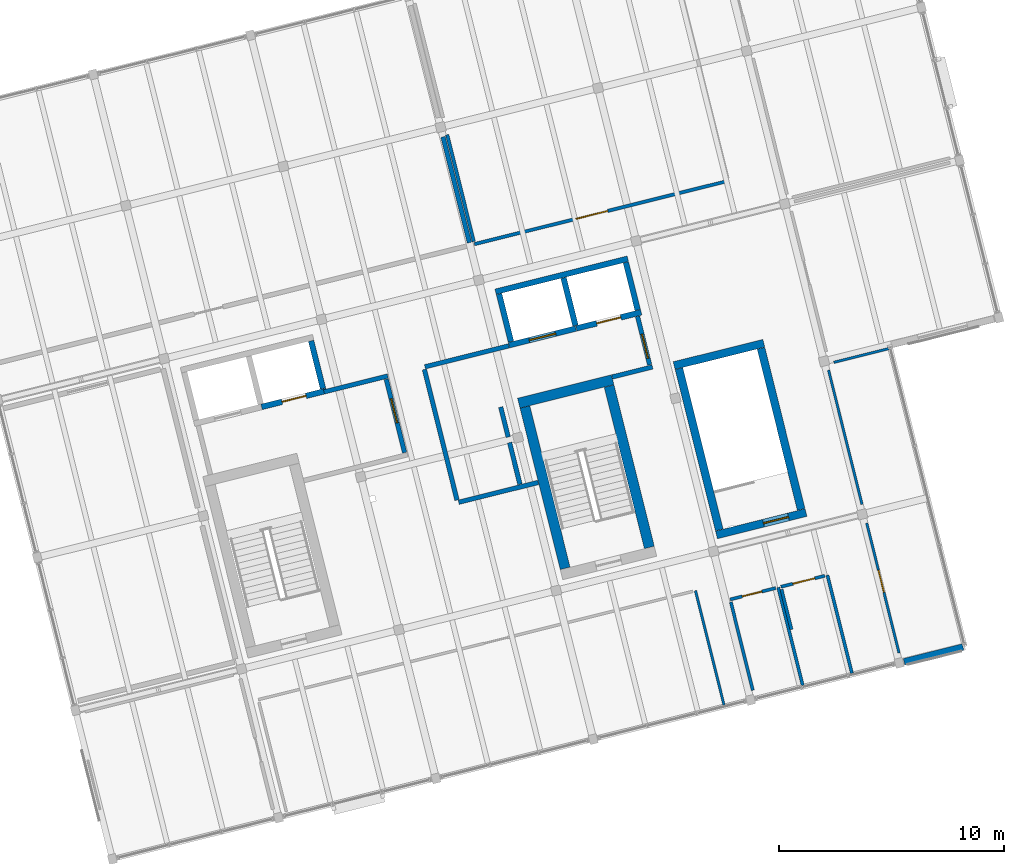
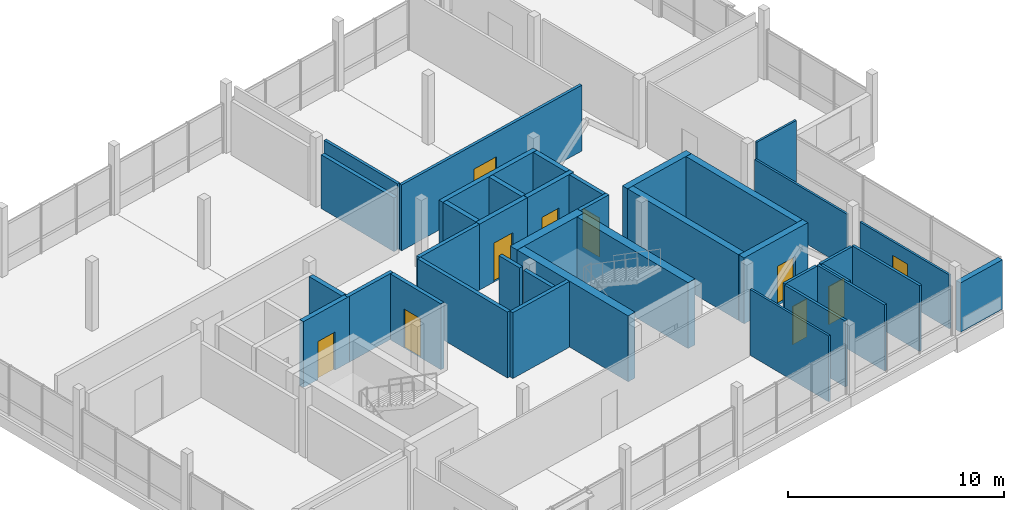
# One storey, part 26 of 28: 38 walls, 10 doors, 10 openings.
"""IFC4 building model written with IfcOpenShell, lengths in metres."""

from ifc_helpers import new_model, si_unit, direction, frame, frame_2d, origin, place, context, subcontext, project, spatial, rectangle, extrude, material, layer, layer_set, type_object, element, fill, save


model = new_model("IFC4")

# Units and contexts
model_context = context("Model", 3, precision=1e-05, world=origin(), true_north=direction((0.0, 1.0)))
body_context = subcontext(model_context, "Body", "Model", "MODEL_VIEW")
ifc_project = project(units=[si_unit("LENGTHUNIT", "METRE"), si_unit("AREAUNIT", "SQUARE_METRE"), si_unit("VOLUMEUNIT", "CUBIC_METRE"), si_unit("PLANEANGLEUNIT", "RADIAN"), si_unit("MASSUNIT", "GRAM", prefix="KILO")], contexts=[model_context])

# Site, building, storey
site_placement = place(None, origin())
site = spatial("IfcSite", under=ifc_project, at=site_placement, CompositionType="ELEMENT")
building_placement = place(site_placement, origin())
building = spatial("IfcBuilding", under=site, at=building_placement, Name="Meriwether Solvik Hall", CompositionType="ELEMENT")
storey_placement = place(building_placement, frame((0.0, 0.0, 30.0)))
storey = spatial("IfcBuildingStorey", under=building, at=storey_placement, Name="L07", CompositionType="ELEMENT", Elevation=30.0)

# Walls
ifc_material_1 = material(Name="Cross-Laminated Timber and Mineral-Wool Insulation", Category="wood")
ifc_layer_1 = layer(ifc_material_1, 0.2900390625)
ifc_layer_set_1 = layer_set([ifc_layer_1], Name="Cross-Laminated Timber and Mineral-Wool Insulation")
wall_type_1 = type_object("IfcWallType", Name="WALL-EXT-290", PredefinedType="SOLIDWALL", material=ifc_layer_set_1)
wall_1_placement = place(storey_placement, frame((106.364013671875, 50.615478515625, 0.0), z_axis=(0.0, 0.0, 1.0), x_axis=(-0.970307283908, -0.241875535753, 0.0)))
element("IfcWall", 1, at=wall_1_placement, inside=storey, type_object=wall_type_1, Name="L07 Timber Rainscreen Wall 1.5", PredefinedType="SOLIDWALL", context=body_context, shape_type="SweptSolid", body=[
    extrude(rectangle(XDim=2.697998046875, YDim=0.2900390625, at=frame_2d((1.34912109375, 0.0))), origin(), (0.0, 0.0, 1.0), 2.7900390625),
])
ifc_material_2 = material(Name="Fire-Rated Type X Gypsum Board", Category="gypsum")
ifc_layer_2 = layer(ifc_material_2, 0.199951171875)
ifc_layer_set_2 = layer_set([ifc_layer_2], Name="Fire-Rated Type X Gypsum Board")
wall_type_2 = type_object("IfcWallType", Name="WALL-FIRE-200", PredefinedType="STANDARD", material=ifc_layer_set_2)
wall_2_placement = place(storey_placement, frame((77.991943359375, 61.938232421875, 0.0), z_axis=(0.0, 0.0, 1.0), x_axis=(0.970304586447, 0.241886356621, 0.0)))
element("IfcWall", 2, at=wall_2_placement, inside=storey, type_object=wall_type_2, Name="L07 Interior Partition lb1_n_cap", PredefinedType="STANDARD", context=body_context, shape_type="SweptSolid", body=[
    extrude(rectangle(XDim=2.919921875, YDim=0.199951171875, at=frame_2d((1.4599609375, 0.0))), origin(), (0.0, 0.0, 1.0), 3.719970703125),
])

# Wall, opening, door
wall_3_placement = place(storey_placement, frame((80.75732421875, 62.50390625, 0.0), z_axis=(0.0, 0.0, 1.0), x_axis=(0.241885902723, -0.970304699599, 0.0)))
wall_3 = element("IfcWall", 3, at=wall_3_placement, inside=storey, type_object=wall_type_2, Name="L07 Interior Partition lb1_e", PredefinedType="STANDARD", context=body_context, shape_type="SweptSolid", body=[
    extrude(rectangle(XDim=3.360107421875, YDim=0.199951171875, at=frame_2d((1.68017578125, 0.0))), origin(), (0.0, 0.0, 1.0), 3.719970703125),
])
opening_1_placement = place(wall_3_placement, frame((0.889892578125, 0.0, 0.0)))
opening_1 = element("IfcOpeningElement", 4, at=opening_1_placement, cuts=wall_3, Name="Opening D-168", PredefinedType="OPENING", context=body_context, shape_type="SweptSolid", body=[
    extrude(rectangle(XDim=1.10009765625, YDim=2.199951171875, at=frame_2d((0.550048828125, 1.10009765625))), frame((0.0, 0.11181640625, 0.0), z_axis=(0.0, -1.0, 0.0), x_axis=(1.0, 0.0, 0.0)), (0.0, 0.0, 1.0), 0.223876953125),
])
ifc_material_3 = material(Name="Steel A36 Galvanised", Category="steel")
door_type_1 = type_object("IfcDoorType", Name="DR-FD60-1100L", OperationType="SINGLE_SWING_LEFT", PredefinedType="DOOR", material=ifc_material_3)
door_1_placement = place(opening_1_placement, origin())
door_1 = element("IfcDoor", 5, at=door_1_placement, inside=storey, type_object=door_type_1, Name="West FSAE Lift Lobby Door (L07)", OperationType="SINGLE_SWING_LEFT", OverallHeight=2.199951171875, OverallWidth=1.10009765625, PredefinedType="DOOR", context=body_context, shape_type="SweptSolid", body=[
    extrude(rectangle(XDim=1.10009765625, YDim=2.199951171875, at=frame_2d((0.550048828125, 1.10009765625))), frame((0.0, 0.02490234375, 0.0), z_axis=(0.0, -1.0, 0.0), x_axis=(1.0, 0.0, 0.0)), (0.0, 0.0, 1.0), 0.050048828125),
])
fill(opening_1, door_1)

# Walls
wall_4_placement = place(storey_placement, frame((82.452880859375, 62.93701171875, 0.0), z_axis=(0.0, 0.0, 1.0), x_axis=(0.241891967324, -0.970303187743, 0.0)))
element("IfcWall", 6, at=wall_4_placement, inside=storey, type_object=wall_type_2, Name="L07 Interior Partition lb2_w", PredefinedType="STANDARD", context=body_context, shape_type="SweptSolid", body=[
    extrude(rectangle(XDim=5.97998046875, YDim=0.199951171875, at=frame_2d((2.989990234375, 0.0))), origin(), (0.0, 0.0, 1.0), 3.719970703125),
])
wall_5_placement = place(storey_placement, frame((83.972412109375, 57.03955078125, 0.0), z_axis=(0.0, 0.0, 1.0), x_axis=(0.97030000841, 0.241904720251, 0.0)))
element("IfcWall", 7, at=wall_5_placement, inside=storey, type_object=wall_type_2, Name="L07 Interior Partition lb2_s_w", PredefinedType="STANDARD", context=body_context, shape_type="SweptSolid", body=[
    extrude(rectangle(XDim=3.642333984375, YDim=0.199951171875, at=frame_2d((1.8212890625, 0.0))), origin(), (0.0, 0.0, 1.0), 3.719970703125),
])
wall_6_placement = place(storey_placement, frame((86.691650390625, 57.841064453125, 0.0), z_axis=(0.0, 0.0, 1.0), x_axis=(-0.241992731984, 0.970278062035, 0.0)))
element("IfcWall", 8, at=wall_6_placement, inside=storey, type_object=wall_type_2, Name="L07 Interior Partition lb2_e_low", PredefinedType="STANDARD", context=body_context, shape_type="SweptSolid", body=[
    extrude(rectangle(XDim=1.90478515625, YDim=0.199951171875, at=frame_2d((0.952392578125, 0.0))), origin(), (0.0, 0.0, 1.0), 3.719970703125),
])
wall_7_placement = place(storey_placement, frame((86.169921875, 59.932861328125, 0.0), z_axis=(0.0, 0.0, 1.0), x_axis=(-0.241824833036, 0.970319921535, 0.0)))
element("IfcWall", 9, at=wall_7_placement, inside=storey, type_object=wall_type_2, Name="L07 Interior Partition lb2_e_low_s2", PredefinedType="STANDARD", context=body_context, shape_type="SweptSolid", body=[
    extrude(rectangle(XDim=1.3740234375, YDim=0.199951171875, at=frame_2d((0.68701171875, 0.0))), origin(), (0.0, 0.0, 1.0), 3.719970703125),
])
wall_8_placement = place(storey_placement, frame((82.47265625, 63.05517578125, 0.0), z_axis=(0.0, 0.0, 1.0), x_axis=(0.970284368558, 0.241967444366, 0.0)))
element("IfcWall", 10, at=wall_8_placement, inside=storey, type_object=wall_type_2, Name="L07 Interior Partition lb2_n_cap_w", PredefinedType="STANDARD", context=body_context, shape_type="SweptSolid", body=[
    extrude(rectangle(XDim=3.84228515625, YDim=0.199951171875, at=frame_2d((1.921142578125, 0.0))), origin(), (0.0, 0.0, 1.0), 3.719970703125),
])
wall_9_placement = place(storey_placement, frame((90.791015625, 62.604248046875, 0.0), z_axis=(0.0, 0.0, 1.0), x_axis=(0.970306180373, 0.241879962645, 0.0)))
element("IfcWall", 11, at=wall_9_placement, inside=storey, type_object=wall_type_2, Name="L07 Interior Partition lb2_s", PredefinedType="STANDARD", context=body_context, shape_type="SweptSolid", body=[
    extrude(rectangle(XDim=1.840087890625, YDim=0.199951171875, at=frame_2d((0.919921875, 0.0))), origin(), (0.0, 0.0, 1.0), 3.719970703125),
])

# Wall, opening, door
wall_10_placement = place(storey_placement, frame((91.913330078125, 65.295654296875, 0.0), z_axis=(0.0, 0.0, 1.0), x_axis=(0.241836892041, -0.970316916089, 0.0)))
wall_10 = element("IfcWall", 12, at=wall_10_placement, inside=storey, type_object=wall_type_2, Name="L07 Interior Partition lb2_e", PredefinedType="STANDARD", context=body_context, shape_type="SweptSolid", body=[
    extrude(rectangle(XDim=2.219970703125, YDim=0.199951171875, at=frame_2d((1.10986328125, 0.0))), origin(), (0.0, 0.0, 1.0), 3.719970703125),
])
opening_2_placement = place(wall_10_placement, frame((0.820068359375, 0.0, 0.0)))
opening_2 = element("IfcOpeningElement", 13, at=opening_2_placement, cuts=wall_10, Name="Opening D-168", PredefinedType="OPENING", context=body_context, shape_type="SweptSolid", body=[
    extrude(rectangle(XDim=1.10009765625, YDim=2.199951171875, at=frame_2d((0.550048828125, 1.10009765625))), frame((0.0, 0.11181640625, 0.0), z_axis=(0.0, -1.0, 0.0), x_axis=(1.0, 0.0, 0.0)), (0.0, 0.0, 1.0), 0.223876953125),
])
door_2_placement = place(opening_2_placement, origin())
door_2 = element("IfcDoor", 14, at=door_2_placement, inside=storey, type_object=door_type_1, Name="East FSAE Lift Lobby Door (L07)", OperationType="SINGLE_SWING_LEFT", OverallHeight=2.199951171875, OverallWidth=1.10009765625, PredefinedType="DOOR", context=body_context, shape_type="SweptSolid", body=[
    extrude(rectangle(XDim=1.10009765625, YDim=2.199951171875, at=frame_2d((0.550048828125, 1.10009765625))), frame((0.0, 0.02490234375, 0.0), z_axis=(0.0, -1.0, 0.0), x_axis=(1.0, 0.0, 0.0)), (0.0, 0.0, 1.0), 0.050048828125),
])
fill(opening_2, door_2)

# Walls
wall_11_placement = place(storey_placement, frame((84.449951171875, 68.5673828125, 0.0), z_axis=(0.0, 0.0, 1.0), x_axis=(-0.241894861771, 0.970302466166, 0.0)))
element("IfcWall", 15, at=wall_11_placement, inside=storey, type_object=wall_type_2, Name="L07 Interior Partition lab_nw_e", PredefinedType="STANDARD", context=body_context, shape_type="SweptSolid", body=[
    extrude(rectangle(XDim=4.841552734375, YDim=0.199951171875, at=frame_2d((2.4208984375, 0.0))), origin(), (0.0, 0.0, 1.0), 3.034912109375),
])
ifc_material_4 = material(Name="Tempered Laminated Glass in Anodised Aluminium Frame", Category="aluminium")
ifc_layer_3 = layer(ifc_material_4, 0.112060546875)
ifc_layer_set_3 = layer_set([ifc_layer_3], Name="Tempered Laminated Glass in Anodised Aluminium Frame")
wall_type_3 = type_object("IfcWallType", Name="WALL-GLZ-112", PredefinedType="PARTITIONING", material=ifc_layer_set_3)
wall_12_placement = place(storey_placement, frame((103.0810546875, 63.864990234375, 0.0), z_axis=(0.0, 0.0, 1.0), x_axis=(-0.97028432699, -0.24196761105, 0.0)))
element("IfcWall", 16, at=wall_12_placement, inside=storey, type_object=wall_type_3, Name="L07 Interior Partition shard_se_n", PredefinedType="PARTITIONING", context=body_context, shape_type="SweptSolid", body=[
    extrude(rectangle(XDim=2.528564453125, YDim=0.112060546875, at=frame_2d((1.26416015625, 0.0))), origin(), (0.0, 0.0, 1.0), 3.719970703125),
])
wall_13_placement = place(storey_placement, frame((100.392333984375, 62.90966796875, 0.0), z_axis=(0.0, 0.0, 1.0), x_axis=(0.241928011715, -0.970294201337, 0.0)))
element("IfcWall", 17, at=wall_13_placement, inside=storey, type_object=wall_type_3, Name="L07 Interior Partition shard_se_w", PredefinedType="PARTITIONING", context=body_context, shape_type="SweptSolid", body=[
    extrude(rectangle(XDim=6.145751953125, YDim=0.112060546875, at=frame_2d((3.07275390625, 0.0))), origin(), (0.0, 0.0, 1.0), 3.034912109375),
])

# Wall, opening, door
wall_14_placement = place(storey_placement, frame((102.085693359375, 56.11767578125, 0.0), z_axis=(0.0, 0.0, 1.0), x_axis=(0.241936558531, -0.970292070279, 0.0)))
wall_14 = element("IfcWall", 18, at=wall_14_placement, inside=storey, type_object=wall_type_3, Name="L07 Interior Partition shard_se_w_s2", PredefinedType="PARTITIONING", context=body_context, shape_type="SweptSolid", body=[
    extrude(rectangle(XDim=5.945556640625, YDim=0.112060546875, at=frame_2d((2.97265625, 0.0))), origin(), (0.0, 0.0, 1.0), 3.034912109375),
])
opening_3_placement = place(wall_14_placement, frame((2.162109375, 0.0, 0.0)))
opening_3 = element("IfcOpeningElement", 19, at=opening_3_placement, cuts=wall_14, Name="Opening D-103", PredefinedType="OPENING", context=body_context, shape_type="SweptSolid", body=[
    extrude(rectangle(XDim=1.0, YDim=2.25, at=frame_2d((0.5, 1.125))), frame((0.0, 0.06787109375, 0.0), z_axis=(0.0, -1.0, 0.0), x_axis=(1.0, 0.0, 0.0)), (0.0, 0.0, 1.0), 0.135986328125),
])
ifc_material_5 = material(Name="Laminated Vision Glass and Solid White Oak Timber", Category="wood")
door_type_2 = type_object("IfcDoorType", Name="DR-OFF-1000R", OperationType="SINGLE_SWING_RIGHT", PredefinedType="DOOR", material=ifc_material_5)
door_3_placement = place(opening_3_placement, origin())
door_3 = element("IfcDoor", 20, at=door_3_placement, inside=storey, type_object=door_type_2, Name="L07 Cantilever Shard Study Door", OperationType="SINGLE_SWING_RIGHT", OverallHeight=2.25, OverallWidth=1.0, PredefinedType="DOOR", context=body_context, shape_type="SweptSolid", body=[
    extrude(rectangle(XDim=1.0, YDim=2.25, at=frame_2d((0.5, 1.125))), frame((0.0, 0.02490234375, 0.0), z_axis=(0.0, -1.0, 0.0), x_axis=(1.0, 0.0, 0.0)), (0.0, 0.0, 1.0), 0.050048828125),
])
fill(opening_3, door_3)

# Walls
wall_15_placement = place(storey_placement, frame((95.753662109375, 48.031982421875, 0.0), z_axis=(0.0, 0.0, 1.0), x_axis=(-0.24189974474, 0.970301248837, 0.0)))
element("IfcWall", 21, at=wall_15_placement, inside=storey, type_object=wall_type_3, Name="L07 Interior Partition conf_s_e", PredefinedType="PARTITIONING", context=body_context, shape_type="SweptSolid", body=[
    extrude(rectangle(XDim=5.239990234375, YDim=0.112060546875, at=frame_2d((2.6201171875, 0.0))), origin(), (0.0, 0.0, 1.0), 3.719970703125),
])
ifc_material_6 = material(Name="Concrete C40/50", Category="concrete")
ifc_layer_4 = layer(ifc_material_6, 0.25)
ifc_layer_set_4 = layer_set([ifc_layer_4], Name="Concrete C40/50")
wall_type_4 = type_object("IfcWallType", Name="WALL-HOIST-250", PredefinedType="SHEAR", material=ifc_layer_set_4)
wall_16_placement = place(storey_placement, frame((77.948486328125, 62.09228515625, 0.0), z_axis=(0.0, 0.0, 1.0), x_axis=(-0.241903146974, 0.970300400641, 0.0)))
element("IfcWall", 22, at=wall_16_placement, inside=storey, type_object=wall_type_4, Name="Hoistway BANK1 East Wall (L07)", PredefinedType="SHEAR", context=body_context, shape_type="SweptSolid", body=[
    extrude(rectangle(XDim=2.179931640625, YDim=0.25, at=frame_2d((1.08984375, 0.0))), origin(), (0.0, 0.0, 1.0), 3.719970703125),
])

# Wall, opening, door
wall_17_placement = place(storey_placement, frame((75.225341796875, 61.274169921875, 0.0), z_axis=(0.0, 0.0, 1.0), x_axis=(0.970297295425, 0.241915601999, 0.0)))
wall_17 = element("IfcWall", 23, at=wall_17_placement, inside=storey, type_object=wall_type_4, Name="Lift LP-01 Landing Wall (L07)", PredefinedType="SHEAR", context=body_context, shape_type="SweptSolid", body=[
    extrude(rectangle(XDim=2.965087890625, YDim=0.25, at=frame_2d((1.482421875, 0.0))), origin(), (0.0, 0.0, 1.0), 3.719970703125),
])
opening_4_placement = place(wall_17_placement, frame((0.9326171875, 0.0, 0.0)))
opening_4 = element("IfcOpeningElement", 24, at=opening_4_placement, cuts=wall_17, Name="Opening LD-03", PredefinedType="OPENING", context=body_context, shape_type="SweptSolid", body=[
    extrude(rectangle(XDim=1.10009765625, YDim=2.14990234375, at=frame_2d((0.550048828125, 1.074951171875))), frame((0.0, 0.136962890625, 0.0), z_axis=(0.0, -1.0, 0.0), x_axis=(1.0, 0.0, 0.0)), (0.0, 0.0, 1.0), 0.27392578125),
])
ifc_material_7 = material(Name="Stainless Steel AISI 316", Category="steel")
door_type_3 = type_object("IfcDoorType", Name="DR-LIFT-PASS", OperationType="DOUBLE_DOOR_SLIDING", PredefinedType="DOOR", material=ifc_material_7)
door_4_placement = place(opening_4_placement, origin())
door_4 = element("IfcDoor", 25, at=door_4_placement, inside=storey, type_object=door_type_3, Name="Lift Landing Door LP-01 (L07)", OperationType="DOUBLE_DOOR_SLIDING", OverallHeight=2.14990234375, OverallWidth=1.10009765625, PredefinedType="DOOR", context=body_context, shape_type="SweptSolid", body=[
    extrude(rectangle(XDim=1.10009765625, YDim=2.14990234375, at=frame_2d((0.550048828125, 1.074951171875))), frame((0.0, 0.02490234375, 0.0), z_axis=(0.0, -1.0, 0.0), x_axis=(1.0, 0.0, 0.0)), (0.0, 0.0, 1.0), 0.050048828125),
])
fill(opening_4, door_4)

# Walls
wall_18_placement = place(storey_placement, frame((91.48193359375, 67.852294921875, 0.0), z_axis=(0.0, 0.0, 1.0), x_axis=(-0.970296596103, -0.241918406889, 0.0)))
element("IfcWall", 26, at=wall_18_placement, inside=storey, type_object=wall_type_4, Name="Hoistway BANK2 North Wall (L07)", PredefinedType="SHEAR", context=body_context, shape_type="SweptSolid", body=[
    extrude(rectangle(XDim=6.050048828125, YDim=0.25, at=frame_2d((3.02490234375, 0.0))), origin(), (0.0, 0.0, 1.0), 3.719970703125),
])
for number, where, z_axis, x_axis, name in (
    (27, (85.765625, 66.287841796875, 0.0), (0.0, 0.0, 1.0), (0.241903146974, -0.970300400641, 0.0), "Hoistway BANK2 West Wall (L07)"),
    (28, (91.920654296875, 65.575927734375, 0.0), (0.0, 0.0, 1.0), (-0.241903146974, 0.970300400641, 0.0), "Hoistway BANK2 East Wall (L07)"),
    (29, (89.1552734375, 64.886474609375, 0.0), (0.0, 0.0, 1.0), (-0.241903146974, 0.970300400641, 0.0), "Hoistway BANK2 Divider Pier (L07)"),
):
    element("IfcWall", number, at=place(storey_placement, frame(where, z_axis=z_axis, x_axis=x_axis)), inside=storey, type_object=wall_type_4, Name=name, PredefinedType="SHEAR", context=body_context, shape_type="SweptSolid", body=[
        extrude(rectangle(XDim=2.179931640625, YDim=0.25, at=frame_2d((1.08984375, 0.0))), origin(), (0.0, 0.0, 1.0), 3.719970703125),
    ])

# Wall, opening, door
wall_19_placement = place(storey_placement, frame((86.204345703125, 64.011474609375, 0.0), z_axis=(0.0, 0.0, 1.0), x_axis=(0.970296930481, 0.241917065747, 0.0)))
wall_19 = element("IfcWall", 30, at=wall_19_placement, inside=storey, type_object=wall_type_4, Name="Lift LF-02 Landing Wall (L07)", PredefinedType="SHEAR", context=body_context, shape_type="SweptSolid", body=[
    extrude(rectangle(XDim=3.06494140625, YDim=0.25, at=frame_2d((1.532470703125, 0.0))), origin(), (0.0, 0.0, 1.0), 3.719970703125),
])
opening_5_placement = place(wall_19_placement, frame((0.9326171875, 0.0, 0.0)))
opening_5 = element("IfcOpeningElement", 31, at=opening_5_placement, cuts=wall_19, Name="Opening LD-02", PredefinedType="OPENING", context=body_context, shape_type="SweptSolid", body=[
    extrude(rectangle(XDim=1.199951171875, YDim=2.199951171875, at=frame_2d((0.60009765625, 1.10009765625))), frame((0.0, 0.136962890625, 0.0), z_axis=(0.0, -1.0, 0.0), x_axis=(1.0, 0.0, 0.0)), (0.0, 0.0, 1.0), 0.27392578125),
])
ifc_material_8 = material(Name="Stainless Steel AISI 316", Category="steel")
door_type_4 = type_object("IfcDoorType", Name="DR-LIFT-FSAE", OperationType="DOUBLE_DOOR_SLIDING", PredefinedType="DOOR", material=ifc_material_8)
door_5_placement = place(opening_5_placement, origin())
door_5 = element("IfcDoor", 32, at=door_5_placement, inside=storey, type_object=door_type_4, Name="Lift Landing Door LF-02 (L07)", OperationType="DOUBLE_DOOR_SLIDING", OverallHeight=2.199951171875, OverallWidth=1.199951171875, PredefinedType="DOOR", context=body_context, shape_type="SweptSolid", body=[
    extrude(rectangle(XDim=1.199951171875, YDim=2.199951171875, at=frame_2d((0.60009765625, 1.10009765625))), frame((0.0, 0.02490234375, 0.0), z_axis=(0.0, -1.0, 0.0), x_axis=(1.0, 0.0, 0.0)), (0.0, 0.0, 1.0), 0.050048828125),
])
fill(opening_5, door_5)

wall_20_placement = place(storey_placement, frame((89.19775390625, 64.7578125, 0.0), z_axis=(0.0, 0.0, 1.0), x_axis=(0.970297295425, 0.241915601999, 0.0)))
wall_20 = element("IfcWall", 33, at=wall_20_placement, inside=storey, type_object=wall_type_4, Name="Lift LP-02 Landing Wall (L07)", PredefinedType="SHEAR", context=body_context, shape_type="SweptSolid", body=[
    extrude(rectangle(XDim=2.965087890625, YDim=0.25, at=frame_2d((1.482421875, 0.0))), origin(), (0.0, 0.0, 1.0), 3.719970703125),
])
opening_6_placement = place(wall_20_placement, frame((0.9326171875, 0.0, 0.0)))
opening_6 = element("IfcOpeningElement", 34, at=opening_6_placement, cuts=wall_20, Name="Opening LD-04", PredefinedType="OPENING", context=body_context, shape_type="SweptSolid", body=[
    extrude(rectangle(XDim=1.10009765625, YDim=2.14990234375, at=frame_2d((0.550048828125, 1.074951171875))), frame((0.0, 0.136962890625, 0.0), z_axis=(0.0, -1.0, 0.0), x_axis=(1.0, 0.0, 0.0)), (0.0, 0.0, 1.0), 0.27392578125),
])
door_6_placement = place(opening_6_placement, origin())
door_6 = element("IfcDoor", 35, at=door_6_placement, inside=storey, type_object=door_type_3, Name="Lift Landing Door LP-02 (L07)", OperationType="DOUBLE_DOOR_SLIDING", OverallHeight=2.14990234375, OverallWidth=1.10009765625, PredefinedType="DOOR", context=body_context, shape_type="SweptSolid", body=[
    extrude(rectangle(XDim=1.10009765625, YDim=2.14990234375, at=frame_2d((0.550048828125, 1.074951171875))), frame((0.0, 0.02490234375, 0.0), z_axis=(0.0, -1.0, 0.0), x_axis=(1.0, 0.0, 0.0)), (0.0, 0.0, 1.0), 0.050048828125),
])
fill(opening_6, door_6)

ifc_material_9 = material(Name="Gypsum Board Partition", Category="gypsum")
ifc_layer_5 = layer(ifc_material_9, 0.14990234375)
ifc_layer_set_5 = layer_set([ifc_layer_5], Name="Gypsum Board Partition")
wall_type_5 = type_object("IfcWallType", Name="WALL-PART-150", PredefinedType="PARTITIONING", material=ifc_layer_set_5)
wall_21_placement = place(storey_placement, frame((84.673095703125, 68.499267578125, 0.0), z_axis=(0.0, 0.0, 1.0), x_axis=(0.970293352795, 0.241931414914, 0.0)))
wall_21 = element("IfcWall", 36, at=wall_21_placement, inside=storey, type_object=wall_type_5, Name="L07 Interior Partition sem_nc_s", PredefinedType="PARTITIONING", context=body_context, shape_type="SweptSolid", body=[
    extrude(rectangle(XDim=11.599853515625, YDim=0.14990234375, at=frame_2d((5.7998046875, 0.0))), origin(), (0.0, 0.0, 1.0), 3.719970703125),
])
opening_7_placement = place(wall_21_placement, frame((4.64404296875, 0.0, 0.0)))
opening_7 = element("IfcOpeningElement", 37, at=opening_7_placement, cuts=wall_21, Name="Opening D-152", PredefinedType="OPENING", context=body_context, shape_type="SweptSolid", body=[
    extrude(rectangle(XDim=1.449951171875, YDim=2.35009765625, at=frame_2d((0.72509765625, 1.175048828125))), frame((0.0, 0.0869140625, 0.0), z_axis=(0.0, -1.0, 0.0), x_axis=(1.0, 0.0, 0.0)), (0.0, 0.0, 1.0), 0.173828125),
])
ifc_material_10 = material(Name="Laminated Vision Glass and Solid White Oak Timber", Category="wood")
door_type_5 = type_object("IfcDoorType", Name="DR-CONF-1450", OperationType="DOUBLE_DOOR_SINGLE_SWING", PredefinedType="DOOR", material=ifc_material_10)
door_7_placement = place(opening_7_placement, origin())
door_7 = element("IfcDoor", 38, at=door_7_placement, inside=storey, type_object=door_type_5, Name="L07 Graduate Colloquium Room Door", OperationType="DOUBLE_DOOR_SINGLE_SWING", OverallHeight=2.35009765625, OverallWidth=1.449951171875, PredefinedType="DOOR", context=body_context, shape_type="SweptSolid", body=[
    extrude(rectangle(XDim=1.449951171875, YDim=2.35009765625, at=frame_2d((0.72509765625, 1.175048828125))), frame((0.0, 0.02490234375, 0.0), z_axis=(0.0, -1.0, 0.0), x_axis=(1.0, 0.0, 0.0)), (0.0, 0.0, 1.0), 0.050048828125),
])
fill(opening_7, door_7)

# Wall
wall_22_placement = place(storey_placement, frame((83.4609375, 73.36083984375, 0.0), z_axis=(0.0, 0.0, 1.0), x_axis=(0.241924759673, -0.970295012178, 0.0)))
element("IfcWall", 39, at=wall_22_placement, inside=storey, type_object=wall_type_5, Name="L07 Interior Partition sem_nc_w_s2", PredefinedType="PARTITIONING", context=body_context, shape_type="SweptSolid", body=[
    extrude(rectangle(XDim=4.890380859375, YDim=0.14990234375, at=frame_2d((2.4453125, 0.0))), origin(), (0.0, 0.0, 1.0), 3.719970703125),
])

# Wall, opening, door
ifc_material_11 = material(Name="Concrete C40/50", Category="concrete")
ifc_layer_6 = layer(ifc_material_11, 0.35009765625)
ifc_layer_set_6 = layer_set([ifc_layer_6], Name="Concrete C40/50")
wall_type_6 = type_object("IfcWallType", Name="WALL-RC-350", PredefinedType="SHEAR", material=ifc_layer_set_6)
wall_23_placement = place(storey_placement, frame((95.415283203125, 55.589599609375, 0.0), z_axis=(0.0, 0.0, 1.0), x_axis=(0.970292928015, 0.241933118535, 0.0)))
wall_23 = element("IfcWall", 40, at=wall_23_placement, inside=storey, type_object=wall_type_6, Name="CORE-3 Shear Wall S (L07)", PredefinedType="SHEAR", context=body_context, shape_type="SweptSolid", body=[
    extrude(rectangle(XDim=4.10009765625, YDim=0.35009765625, at=frame_2d((2.050048828125, 0.0))), origin(), (0.0, 0.0, 1.0), 3.719970703125),
])
opening_8_placement = place(wall_23_placement, frame((2.14990234375, 0.0, 0.0)))
opening_8 = element("IfcOpeningElement", 41, at=opening_8_placement, cuts=wall_23, Name="Opening D-148", PredefinedType="OPENING", context=body_context, shape_type="SweptSolid", body=[
    extrude(rectangle(XDim=1.14990234375, YDim=2.199951171875, at=frame_2d((0.574951171875, 1.10009765625))), frame((0.0, 0.18701171875, 0.0), z_axis=(0.0, -1.0, 0.0), x_axis=(1.0, 0.0, 0.0)), (0.0, 0.0, 1.0), 0.3740234375),
])
ifc_material_12 = material(Name="Steel A36 Galvanised", Category="steel")
door_type_6 = type_object("IfcDoorType", Name="DR-FD90-1150R", OperationType="SINGLE_SWING_RIGHT", PredefinedType="DOOR", material=ifc_material_12)
door_8_placement = place(opening_8_placement, origin())
door_8 = element("IfcDoor", 42, at=door_8_placement, inside=storey, type_object=door_type_6, Name="Stair ST-03 Smokeproof Exit Door (L07)", OperationType="SINGLE_SWING_RIGHT", OverallHeight=2.199951171875, OverallWidth=1.14990234375, PredefinedType="DOOR", context=body_context, shape_type="SweptSolid", body=[
    extrude(rectangle(XDim=1.14990234375, YDim=2.199951171875, at=frame_2d((0.574951171875, 1.10009765625))), frame((0.0, 0.02490234375, 0.0), z_axis=(0.0, -1.0, 0.0), x_axis=(1.0, 0.0, 0.0)), (0.0, 0.0, 1.0), 0.050048828125),
])
fill(opening_8, door_8)

# Walls
wall_24_placement = place(storey_placement, frame((97.5185546875, 64.101318359375, 0.0), z_axis=(0.0, 0.0, 1.0), x_axis=(-0.970289442421, -0.241947097371, 0.0)))
element("IfcWall", 43, at=wall_24_placement, inside=storey, type_object=wall_type_6, Name="CORE-3 Shear Wall N (L07)", PredefinedType="SHEAR", context=body_context, shape_type="SweptSolid", body=[
    extrude(rectangle(XDim=4.099853515625, YDim=0.35009765625, at=frame_2d((2.0498046875, 0.0))), origin(), (0.0, 0.0, 1.0), 3.719970703125),
])
for number, where, z_axis, x_axis, name in (
    (44, (93.755126953125, 62.97216796875, 0.0), (0.0, 0.0, 1.0), (0.241897280066, -0.970301863286, 0.0), "CORE-3 Shear Wall W (L07)"),
    (45, (99.178955078125, 56.71875, 0.0), (0.0, 0.0, 1.0), (-0.241928426141, 0.970294098006, 0.0), "CORE-3 Shear Wall E (L07)"),
):
    element("IfcWall", number, at=place(storey_placement, frame(where, z_axis=z_axis, x_axis=x_axis)), inside=storey, type_object=wall_type_6, Name=name, PredefinedType="SHEAR", context=body_context, shape_type="SweptSolid", body=[
        extrude(rectangle(XDim=7.3798828125, YDim=0.35009765625, at=frame_2d((3.68994140625, 0.0))), origin(), (0.0, 0.0, 1.0), 3.719970703125),
    ])
ifc_material_13 = material(Name="Concrete C45/55", Category="concrete")
ifc_layer_7 = layer(ifc_material_13, 0.449951171875)
ifc_layer_set_7 = layer_set([ifc_layer_7], Name="Concrete C45/55")
wall_type_7 = type_object("IfcWallType", Name="WALL-RC-450", PredefinedType="SHEAR", material=ifc_layer_set_7)
wall_25_placement = place(storey_placement, frame((90.8115234375, 62.48046875, 0.0), z_axis=(0.0, 0.0, 1.0), x_axis=(-0.970309259708, -0.2418676095, 0.0)))
element("IfcWall", 46, at=wall_25_placement, inside=storey, type_object=wall_type_7, Name="CORE-2 Shear Wall N (L07)", PredefinedType="SHEAR", context=body_context, shape_type="SweptSolid", body=[
    extrude(rectangle(XDim=4.300048828125, YDim=0.449951171875, at=frame_2d((2.14990234375, 0.0))), origin(), (0.0, 0.0, 1.0), 3.719970703125),
])
for number, where, z_axis, x_axis, name in (
    (47, (86.91455078125, 61.266845703125, 0.0), (0.0, 0.0, 1.0), (0.241889515465, -0.970303798976, 0.0), "CORE-2 Shear Wall W (L07)"),
    (48, (92.435546875, 55.037353515625, 0.0), (0.0, 0.0, 1.0), (-0.241920660665, 0.970296034179, 0.0), "CORE-2 Shear Wall E (L07)"),
):
    element("IfcWall", number, at=place(storey_placement, frame(where, z_axis=z_axis, x_axis=x_axis)), inside=storey, type_object=wall_type_7, Name=name, PredefinedType="SHEAR", context=body_context, shape_type="SweptSolid", body=[
        extrude(rectangle(XDim=7.380126953125, YDim=0.449951171875, at=frame_2d((3.68994140625, 0.0))), origin(), (0.0, 0.0, 1.0), 3.719970703125),
    ])
ifc_material_14 = material(Name="Moisture-Resistant Gypsum Board", Category="gypsum")
ifc_layer_8 = layer(ifc_material_14, 0.139892578125)
ifc_layer_set_8 = layer_set([ifc_layer_8], Name="Moisture-Resistant Gypsum Board")
wall_type_8 = type_object("IfcWallType", Name="WALL-WET-140", PredefinedType="PLUMBINGWALL", material=ifc_layer_set_8)
wall_26_placement = place(storey_placement, frame((99.246826171875, 48.90283203125, 0.0), z_axis=(0.0, 0.0, 1.0), x_axis=(-0.2419086774, 0.970299021848, 0.0)))
element("IfcWall", 49, at=wall_26_placement, inside=storey, type_object=wall_type_8, Name="L07 Interior Partition wc_m_e", PredefinedType="PLUMBINGWALL", context=body_context, shape_type="SweptSolid", body=[
    extrude(rectangle(XDim=4.489990234375, YDim=0.139892578125, at=frame_2d((2.2451171875, 0.0))), origin(), (0.0, 0.0, 1.0), 3.719970703125),
])

# Wall, opening, door
wall_27_placement = place(storey_placement, frame((98.044189453125, 53.23046875, 0.0), z_axis=(0.0, 0.0, 1.0), x_axis=(-0.970301087455, -0.24190039207, 0.0)))
wall_27 = element("IfcWall", 50, at=wall_27_placement, inside=storey, type_object=wall_type_8, Name="L07 Interior Partition wc_m_n", PredefinedType="PLUMBINGWALL", context=body_context, shape_type="SweptSolid", body=[
    extrude(rectangle(XDim=2.080078125, YDim=0.139892578125, at=frame_2d((1.0400390625, 0.0))), origin(), (0.0, 0.0, 1.0), 3.719970703125),
])
opening_9_placement = place(wall_27_placement, frame((0.6298828125, 0.0, 0.0)))
opening_9 = element("IfcOpeningElement", 51, at=opening_9_placement, cuts=wall_27, Name="Opening D-174", PredefinedType="OPENING", context=body_context, shape_type="SweptSolid", body=[
    extrude(rectangle(XDim=0.89990234375, YDim=2.14990234375, at=frame_2d((0.449951171875, 1.074951171875))), frame((0.0, 0.08203125, 0.0), z_axis=(0.0, -1.0, 0.0), x_axis=(1.0, 0.0, 0.0)), (0.0, 0.0, 1.0), 0.163818359375),
])
ifc_material_15 = material(Name="Solid-Core Rift White Oak Timber", Category="wood")
door_type_7 = type_object("IfcDoorType", Name="DR-WC-900L", OperationType="SINGLE_SWING_LEFT", PredefinedType="DOOR", material=ifc_material_15)
door_9_placement = place(opening_9_placement, origin())
door_9 = element("IfcDoor", 52, at=door_9_placement, inside=storey, type_object=door_type_7, Name="L07 Restrooms Door", OperationType="SINGLE_SWING_LEFT", OverallHeight=2.14990234375, OverallWidth=0.89990234375, PredefinedType="DOOR", context=body_context, shape_type="SweptSolid", body=[
    extrude(rectangle(XDim=0.89990234375, YDim=2.14990234375, at=frame_2d((0.449951171875, 1.074951171875))), frame((0.0, 0.02490234375, 0.0), z_axis=(0.0, -1.0, 0.0), x_axis=(1.0, 0.0, 0.0)), (0.0, 0.0, 1.0), 0.050048828125),
])
fill(opening_9, door_9)

# Walls
wall_28_placement = place(storey_placement, frame((96.054931640625, 52.61083984375, 0.0), z_axis=(0.0, 0.0, 1.0), x_axis=(0.241938297122, -0.97029163677, 0.0)))
element("IfcWall", 53, at=wall_28_placement, inside=storey, type_object=wall_type_8, Name="L07 Interior Partition wc_m_w", PredefinedType="PLUMBINGWALL", context=body_context, shape_type="SweptSolid", body=[
    extrude(rectangle(XDim=4.03955078125, YDim=0.139892578125, at=frame_2d((2.019775390625, 0.0))), origin(), (0.0, 0.0, 1.0), 3.719970703125),
])
wall_29_placement = place(storey_placement, frame((101.429931640625, 49.447265625, 0.0), z_axis=(0.0, 0.0, 1.0), x_axis=(-0.2419086774, 0.970299021848, 0.0)))
element("IfcWall", 54, at=wall_29_placement, inside=storey, type_object=wall_type_8, Name="L07 Interior Partition wc_a_e", PredefinedType="PLUMBINGWALL", context=body_context, shape_type="SweptSolid", body=[
    extrude(rectangle(XDim=4.489990234375, YDim=0.139892578125, at=frame_2d((2.2451171875, 0.0))), origin(), (0.0, 0.0, 1.0), 3.719970703125),
])

# Wall, opening, door
wall_30_placement = place(storey_placement, frame((100.227294921875, 53.77490234375, 0.0), z_axis=(0.0, 0.0, 1.0), x_axis=(-0.970285235107, -0.241963969496, 0.0)))
wall_30 = element("IfcWall", 55, at=wall_30_placement, inside=storey, type_object=wall_type_8, Name="L07 Interior Partition wc_a_n", PredefinedType="PLUMBINGWALL", context=body_context, shape_type="SweptSolid", body=[
    extrude(rectangle(XDim=2.010009765625, YDim=0.139892578125, at=frame_2d((1.0048828125, 0.0))), origin(), (0.0, 0.0, 1.0), 3.719970703125),
])
opening_10_placement = place(wall_30_placement, frame((0.4599609375, 0.0, 0.0)))
opening_10 = element("IfcOpeningElement", 56, at=opening_10_placement, cuts=wall_30, Name="Opening D-140", PredefinedType="OPENING", context=body_context, shape_type="SweptSolid", body=[
    extrude(rectangle(XDim=1.0, YDim=2.14990234375, at=frame_2d((0.5, 1.074951171875))), frame((0.0, 0.08203125, 0.0), z_axis=(0.0, -1.0, 0.0), x_axis=(1.0, 0.0, 0.0)), (0.0, 0.0, 1.0), 0.163818359375),
])
ifc_material_16 = material(Name="Solid-Core Rift White Oak Timber", Category="wood")
door_type_8 = type_object("IfcDoorType", Name="DR-ACC-1000L", OperationType="SINGLE_SWING_LEFT", PredefinedType="DOOR", material=ifc_material_16)
door_10_placement = place(opening_10_placement, origin())
door_10 = element("IfcDoor", 57, at=door_10_placement, inside=storey, type_object=door_type_8, Name="L07 Accessible WC Door", OperationType="SINGLE_SWING_LEFT", OverallHeight=2.14990234375, OverallWidth=1.0, PredefinedType="DOOR", context=body_context, shape_type="SweptSolid", body=[
    extrude(rectangle(XDim=1.0, YDim=2.14990234375, at=frame_2d((0.5, 1.074951171875))), frame((0.0, 0.02490234375, 0.0), z_axis=(0.0, -1.0, 0.0), x_axis=(1.0, 0.0, 0.0)), (0.0, 0.0, 1.0), 0.050048828125),
])
fill(opening_10, door_10)

# Wall
wall_31_placement = place(storey_placement, frame((98.30615234375, 53.172119140625, 0.0), z_axis=(0.0, 0.0, 1.0), x_axis=(0.241878524621, -0.970306538846, 0.0)))
element("IfcWall", 58, at=wall_31_placement, inside=storey, type_object=wall_type_8, Name="L07 Interior Partition wc_a_w", PredefinedType="PLUMBINGWALL", context=body_context, shape_type="SweptSolid", body=[
    extrude(rectangle(XDim=1.8359375, YDim=0.139892578125, at=frame_2d((0.91796875, 0.0))), origin(), (0.0, 0.0, 1.0), 3.719970703125),
])

save(model, "model.ifc")
